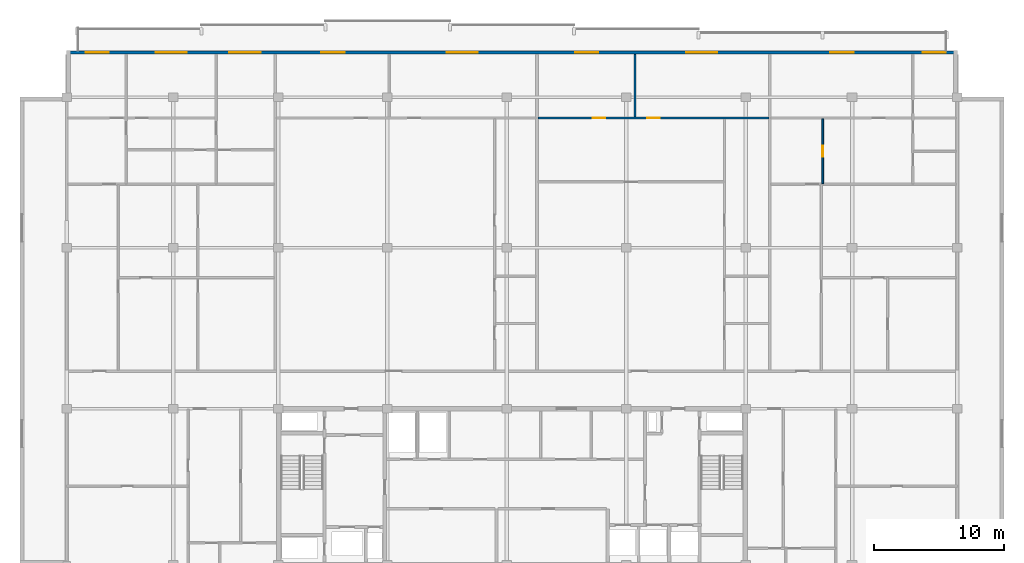
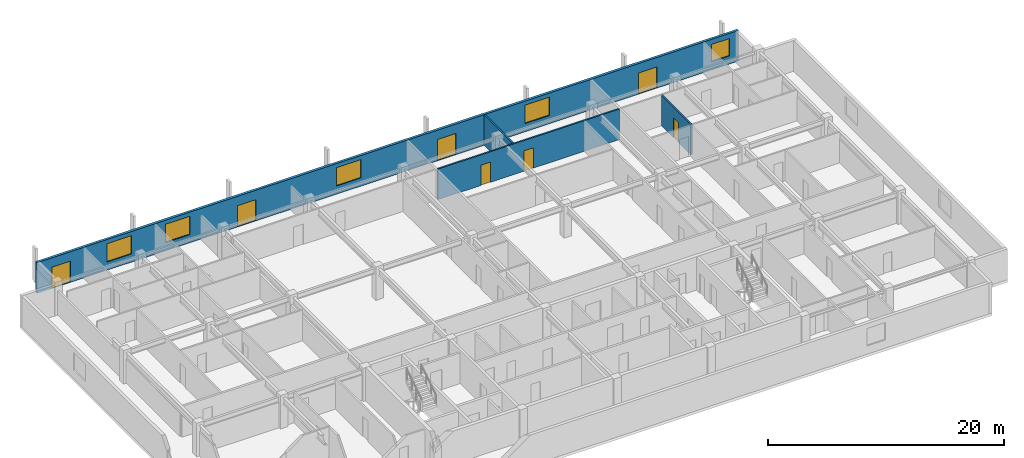
# One storey, part 7 of 10: 7 doors, 5 windows, 4 walls, 12 openings.
"""IFC4 building model written with IfcOpenShell, lengths in metres."""

from ifc_helpers import new_model, si_unit, direction, frame, frame_2d, origin, place, context, subcontext, project, spatial, rectangle, extrude, material, layer, layer_set, type_object, element, fill, save


model = new_model("IFC4")

# Units and contexts
model_context = context("Model", 3, precision=1e-05, world=origin(), true_north=direction((0.0, 1.0)))
body_context = subcontext(model_context, "Body", "Model", "MODEL_VIEW")
ifc_project = project(units=[si_unit("LENGTHUNIT", "METRE"), si_unit("AREAUNIT", "SQUARE_METRE"), si_unit("VOLUMEUNIT", "CUBIC_METRE"), si_unit("PLANEANGLEUNIT", "RADIAN"), si_unit("MASSUNIT", "GRAM", prefix="KILO")], contexts=[model_context])

# Site, building, storey
site_placement = place(None, origin())
site = spatial("IfcSite", under=ifc_project, at=site_placement, CompositionType="ELEMENT")
building_placement = place(site_placement, origin())
building = spatial("IfcBuilding", under=site, at=building_placement, Name="Korimba Cascade Residences", CompositionType="ELEMENT")
storey_placement = place(building_placement, frame((0.0, 0.0, 239.0)))
storey = spatial("IfcBuildingStorey", under=building, at=storey_placement, Name="L69", CompositionType="ELEMENT", Elevation=239.0)

# Wall, openings, doors, windows
ifc_material_1 = material(Name="Precast concrete C40/50", Category="concrete")
ifc_layer_1 = layer(ifc_material_1, 0.25)
ifc_layer_set_1 = layer_set([ifc_layer_1], Name="Precast concrete C40/50")
wall_type_1 = type_object("IfcWallType", Name="EW-LOG-250", PredefinedType="STANDARD", material=ifc_layer_set_1)
wall_1_placement = place(storey_placement, frame((128.39990234375, 94.64990234375, 0.0), z_axis=(0.0, 0.0, 1.0), x_axis=(-1.0, 0.0, 0.0)))
wall_1 = element("IfcWall", 1, at=wall_1_placement, inside=storey, type_object=wall_type_1, Name="L69 T1 Perimeter Stone Wall E06", PredefinedType="STANDARD", context=body_context, shape_type="SweptSolid", body=[
    extrude(rectangle(XDim=68.599853515625, YDim=0.25, at=frame_2d((34.2998046875, 0.0))), origin(), (0.0, 0.0, 1.0), 3.169921875),
])
opening_1_placement = place(wall_1_placement, frame((59.3525390625, 0.0, 0.85009765625)))
opening_1 = element("IfcOpeningElement", 2, at=opening_1_placement, cuts=wall_1, Name="Opening W-01", PredefinedType="OPENING", context=body_context, shape_type="SweptSolid", body=[
    extrude(rectangle(XDim=2.39990234375, YDim=1.89990234375, at=frame_2d((1.199951171875, 0.949951171875))), frame((0.0, 0.135009765625, 0.0), z_axis=(0.0, -1.0, 0.0), x_axis=(1.0, 0.0, 0.0)), (0.0, 0.0, 1.0), 0.27001953125),
])
opening_2_placement = place(wall_1_placement, frame((65.35009765625, 0.0, 0.0)))
opening_2 = element("IfcOpeningElement", 3, at=opening_2_placement, cuts=wall_1, Name="Opening D-LG1", PredefinedType="OPENING", context=body_context, shape_type="SweptSolid", body=[
    extrude(rectangle(XDim=1.800048828125, YDim=2.199951171875, at=frame_2d((0.89990234375, 1.10009765625))), frame((0.0, 0.135009765625, 0.0), z_axis=(0.0, -1.0, 0.0), x_axis=(1.0, 0.0, 0.0)), (0.0, 0.0, 1.0), 0.27001953125),
])
opening_3_placement = place(wall_1_placement, frame((53.669921875, 0.0, 0.85009765625)))
opening_3 = element("IfcOpeningElement", 4, at=opening_3_placement, cuts=wall_1, Name="Opening W-01", PredefinedType="OPENING", context=body_context, shape_type="SweptSolid", body=[
    extrude(rectangle(XDim=2.39990234375, YDim=1.89990234375, at=frame_2d((1.199951171875, 0.949951171875))), frame((0.0, 0.135009765625, 0.0), z_axis=(0.0, -1.0, 0.0), x_axis=(1.0, 0.0, 0.0)), (0.0, 0.0, 1.0), 0.27001953125),
])
opening_4_placement = place(wall_1_placement, frame((47.1875, 0.0, 0.0)))
opening_4 = element("IfcOpeningElement", 5, at=opening_4_placement, cuts=wall_1, Name="Opening D-LG1", PredefinedType="OPENING", context=body_context, shape_type="SweptSolid", body=[
    extrude(rectangle(XDim=1.800048828125, YDim=2.199951171875, at=frame_2d((0.89990234375, 1.10009765625))), frame((0.0, 0.135009765625, 0.0), z_axis=(0.0, -1.0, 0.0), x_axis=(1.0, 0.0, 0.0)), (0.0, 0.0, 1.0), 0.27001953125),
])
opening_5_placement = place(wall_1_placement, frame((36.927978515625, 0.0, 0.85009765625)))
opening_5 = element("IfcOpeningElement", 6, at=opening_5_placement, cuts=wall_1, Name="Opening W-01", PredefinedType="OPENING", context=body_context, shape_type="SweptSolid", body=[
    extrude(rectangle(XDim=2.39990234375, YDim=1.89990234375, at=frame_2d((1.199951171875, 0.949951171875))), frame((0.0, 0.135009765625, 0.0), z_axis=(0.0, -1.0, 0.0), x_axis=(1.0, 0.0, 0.0)), (0.0, 0.0, 1.0), 0.27001953125),
])
opening_6_placement = place(wall_1_placement, frame((27.6396484375, 0.0, 0.0)))
opening_6 = element("IfcOpeningElement", 7, at=opening_6_placement, cuts=wall_1, Name="Opening D-LG1", PredefinedType="OPENING", context=body_context, shape_type="SweptSolid", body=[
    extrude(rectangle(XDim=1.800048828125, YDim=2.199951171875, at=frame_2d((0.89990234375, 1.10009765625))), frame((0.0, 0.135009765625, 0.0), z_axis=(0.0, -1.0, 0.0), x_axis=(1.0, 0.0, 0.0)), (0.0, 0.0, 1.0), 0.27001953125),
])
opening_7_placement = place(wall_1_placement, frame((18.4873046875, 0.0, 0.85009765625)))
opening_7 = element("IfcOpeningElement", 8, at=opening_7_placement, cuts=wall_1, Name="Opening W-01", PredefinedType="OPENING", context=body_context, shape_type="SweptSolid", body=[
    extrude(rectangle(XDim=2.39990234375, YDim=1.89990234375, at=frame_2d((1.199951171875, 0.949951171875))), frame((0.0, 0.135009765625, 0.0), z_axis=(0.0, -1.0, 0.0), x_axis=(1.0, 0.0, 0.0)), (0.0, 0.0, 1.0), 0.27001953125),
])
opening_8_placement = place(wall_1_placement, frame((7.965576171875, 0.0, 0.0)))
opening_8 = element("IfcOpeningElement", 9, at=opening_8_placement, cuts=wall_1, Name="Opening D-LG1", PredefinedType="OPENING", context=body_context, shape_type="SweptSolid", body=[
    extrude(rectangle(XDim=1.800048828125, YDim=2.199951171875, at=frame_2d((0.89990234375, 1.10009765625))), frame((0.0, 0.135009765625, 0.0), z_axis=(0.0, -1.0, 0.0), x_axis=(1.0, 0.0, 0.0)), (0.0, 0.0, 1.0), 0.27001953125),
])
opening_9_placement = place(wall_1_placement, frame((0.8701171875, 0.0, 0.85009765625)))
opening_9 = element("IfcOpeningElement", 10, at=opening_9_placement, cuts=wall_1, Name="Opening W-02", PredefinedType="OPENING", context=body_context, shape_type="SweptSolid", body=[
    extrude(rectangle(XDim=1.800048828125, YDim=1.800048828125, at=frame_2d((0.89990234375, 0.89990234375))), frame((0.0, 0.135009765625, 0.0), z_axis=(0.0, -1.0, 0.0), x_axis=(1.0, 0.0, 0.0)), (0.0, 0.0, 1.0), 0.27001953125),
])
ifc_material_2 = material(Name="Glazed Aluminium Loggia Sliding Door", Category="aluminium")
door_type_1 = type_object("IfcDoorType", Name="DR-EXT-LOG", OperationType="NOTDEFINED", PredefinedType="DOOR", material=ifc_material_2)
door_1_placement = place(opening_2_placement, origin())
door_1 = element("IfcDoor", 11, at=door_1_placement, inside=storey, type_object=door_type_1, Name="L69 T1 Loggia Sliding Door 4", OperationType="SLIDING_TO_LEFT", OverallHeight=2.199951171875, OverallWidth=1.800048828125, PredefinedType="DOOR", context=body_context, shape_type="SweptSolid", body=[
    extrude(rectangle(XDim=1.800048828125, YDim=2.199951171875, at=frame_2d((0.89990234375, 1.10009765625))), frame((0.0, 0.02490234375, 0.0), z_axis=(0.0, -1.0, 0.0), x_axis=(1.0, 0.0, 0.0)), (0.0, 0.0, 1.0), 0.050048828125),
])
fill(opening_2, door_1)
door_2_placement = place(opening_4_placement, origin())
door_2 = element("IfcDoor", 12, at=door_2_placement, inside=storey, type_object=door_type_1, Name="L69 T1 Loggia Sliding Door 6", OperationType="SLIDING_TO_LEFT", OverallHeight=2.199951171875, OverallWidth=1.800048828125, PredefinedType="DOOR", context=body_context, shape_type="SweptSolid", body=[
    extrude(rectangle(XDim=1.800048828125, YDim=2.199951171875, at=frame_2d((0.89990234375, 1.10009765625))), frame((0.0, 0.02490234375, 0.0), z_axis=(0.0, -1.0, 0.0), x_axis=(1.0, 0.0, 0.0)), (0.0, 0.0, 1.0), 0.050048828125),
])
fill(opening_4, door_2)
door_3_placement = place(opening_6_placement, origin())
door_3 = element("IfcDoor", 13, at=door_3_placement, inside=storey, type_object=door_type_1, Name="L69 T1 Loggia Sliding Door 8", OperationType="SLIDING_TO_LEFT", OverallHeight=2.199951171875, OverallWidth=1.800048828125, PredefinedType="DOOR", context=body_context, shape_type="SweptSolid", body=[
    extrude(rectangle(XDim=1.800048828125, YDim=2.199951171875, at=frame_2d((0.89990234375, 1.10009765625))), frame((0.0, 0.02490234375, 0.0), z_axis=(0.0, -1.0, 0.0), x_axis=(1.0, 0.0, 0.0)), (0.0, 0.0, 1.0), 0.050048828125),
])
fill(opening_6, door_3)
door_4_placement = place(opening_8_placement, origin())
door_4 = element("IfcDoor", 14, at=door_4_placement, inside=storey, type_object=door_type_1, Name="L69 T1 Loggia Sliding Door 10", OperationType="SLIDING_TO_LEFT", OverallHeight=2.199951171875, OverallWidth=1.800048828125, PredefinedType="DOOR", context=body_context, shape_type="SweptSolid", body=[
    extrude(rectangle(XDim=1.800048828125, YDim=2.199951171875, at=frame_2d((0.89990234375, 1.10009765625))), frame((0.0, 0.02490234375, 0.0), z_axis=(0.0, -1.0, 0.0), x_axis=(1.0, 0.0, 0.0)), (0.0, 0.0, 1.0), 0.050048828125),
])
fill(opening_8, door_4)
ifc_material_3 = material(Name="Double-Glazed Aluminium Window", Category="aluminium")
window_type_1 = type_object("IfcWindowType", Name="WIN-BED-1800", PartitioningType="SINGLE_PANEL", PredefinedType="WINDOW", material=ifc_material_3)
window_1_placement = place(opening_9_placement, origin())
window_1 = element("IfcWindow", 15, at=window_1_placement, inside=storey, type_object=window_type_1, Name="L69 T1 North Facade Window 11", OverallHeight=1.800048828125, OverallWidth=1.800048828125, PartitioningType="SINGLE_PANEL", PredefinedType="WINDOW", context=body_context, shape_type="SweptSolid", body=[
    extrude(rectangle(XDim=1.800048828125, YDim=1.800048828125, at=frame_2d((0.89990234375, 0.89990234375))), frame((0.0, 0.030029296875, 0.0), z_axis=(0.0, -1.0, 0.0), x_axis=(1.0, 0.0, 0.0)), (0.0, 0.0, 1.0), 0.06005859375),
])
fill(opening_9, window_1)
window_type_2 = type_object("IfcWindowType", Name="WIN-RES-2400", PartitioningType="DOUBLE_PANEL_VERTICAL", PredefinedType="WINDOW", material=ifc_material_3)
window_2_placement = place(opening_1_placement, origin())
window_2 = element("IfcWindow", 16, at=window_2_placement, inside=storey, type_object=window_type_2, Name="L69 T1 North Facade Window 3", OverallHeight=1.89990234375, OverallWidth=2.39990234375, PartitioningType="DOUBLE_PANEL_VERTICAL", PredefinedType="WINDOW", context=body_context, shape_type="SweptSolid", body=[
    extrude(rectangle(XDim=2.39990234375, YDim=1.89990234375, at=frame_2d((1.199951171875, 0.949951171875))), frame((0.0, 0.030029296875, 0.0), z_axis=(0.0, -1.0, 0.0), x_axis=(1.0, 0.0, 0.0)), (0.0, 0.0, 1.0), 0.06005859375),
])
fill(opening_1, window_2)
window_3_placement = place(opening_3_placement, origin())
window_3 = element("IfcWindow", 17, at=window_3_placement, inside=storey, type_object=window_type_2, Name="L69 T1 North Facade Window 5", OverallHeight=1.89990234375, OverallWidth=2.39990234375, PartitioningType="DOUBLE_PANEL_VERTICAL", PredefinedType="WINDOW", context=body_context, shape_type="SweptSolid", body=[
    extrude(rectangle(XDim=2.39990234375, YDim=1.89990234375, at=frame_2d((1.199951171875, 0.949951171875))), frame((0.0, 0.030029296875, 0.0), z_axis=(0.0, -1.0, 0.0), x_axis=(1.0, 0.0, 0.0)), (0.0, 0.0, 1.0), 0.06005859375),
])
fill(opening_3, window_3)
window_4_placement = place(opening_5_placement, origin())
window_4 = element("IfcWindow", 18, at=window_4_placement, inside=storey, type_object=window_type_2, Name="L69 T1 North Facade Window 7", OverallHeight=1.89990234375, OverallWidth=2.39990234375, PartitioningType="DOUBLE_PANEL_VERTICAL", PredefinedType="WINDOW", context=body_context, shape_type="SweptSolid", body=[
    extrude(rectangle(XDim=2.39990234375, YDim=1.89990234375, at=frame_2d((1.199951171875, 0.949951171875))), frame((0.0, 0.030029296875, 0.0), z_axis=(0.0, -1.0, 0.0), x_axis=(1.0, 0.0, 0.0)), (0.0, 0.0, 1.0), 0.06005859375),
])
fill(opening_5, window_4)
window_5_placement = place(opening_7_placement, origin())
window_5 = element("IfcWindow", 19, at=window_5_placement, inside=storey, type_object=window_type_2, Name="L69 T1 North Facade Window 9", OverallHeight=1.89990234375, OverallWidth=2.39990234375, PartitioningType="DOUBLE_PANEL_VERTICAL", PredefinedType="WINDOW", context=body_context, shape_type="SweptSolid", body=[
    extrude(rectangle(XDim=2.39990234375, YDim=1.89990234375, at=frame_2d((1.199951171875, 0.949951171875))), frame((0.0, 0.030029296875, 0.0), z_axis=(0.0, -1.0, 0.0), x_axis=(1.0, 0.0, 0.0)), (0.0, 0.0, 1.0), 0.06005859375),
])
fill(opening_7, window_5)

# Wall
ifc_material_4 = material(Name="Insulated Acoustic Stud Partition", Category="gypsum")
ifc_layer_2 = layer(ifc_material_4, 0.14990234375)
ifc_layer_set_2 = layer_set([ifc_layer_2], Name="Insulated Acoustic Stud Partition")
wall_type_2 = type_object("IfcWallType", Name="WAL-PART-150", PredefinedType="PARTITIONING", material=ifc_layer_set_2)
wall_2_placement = place(storey_placement, frame((103.576416015625, 89.679931640625, 0.0), z_axis=(0.0, 0.0, 1.0), x_axis=(0.0, 1.0, 0.0)))
element("IfcWall", 20, at=wall_2_placement, inside=storey, type_object=wall_type_2, Name="L69 Partition Wall WAL-L69-T1-U03-OUTV", PredefinedType="PARTITIONING", context=body_context, shape_type="SweptSolid", body=[
    extrude(rectangle(XDim=4.820068359375, YDim=0.14990234375, at=frame_2d((2.41015625, 0.0))), origin(), (0.0, 0.0, 1.0), 3.169921875),
])

# Wall, openings, doors
wall_3_placement = place(storey_placement, frame((96.104248046875, 89.60009765625, 0.0), z_axis=(0.0, 0.0, 1.0), x_axis=(1.0, 0.0, 0.0)))
wall_3 = element("IfcWall", 21, at=wall_3_placement, inside=storey, type_object=wall_type_2, Name="L69 Partition Wall WAL-L69-T1-U03-HZ", PredefinedType="PARTITIONING", context=body_context, shape_type="SweptSolid", body=[
    extrude(rectangle(XDim=17.78466796875, YDim=0.14990234375, at=frame_2d((8.892333984375, 0.0))), origin(), (0.0, 0.0, 1.0), 3.169921875),
])
opening_10_placement = place(wall_3_placement, frame((4.231201171875, 0.0, 0.0)))
opening_10 = element("IfcOpeningElement", 22, at=opening_10_placement, cuts=wall_3, Name="Opening D-IN0", PredefinedType="OPENING", context=body_context, shape_type="SweptSolid", body=[
    extrude(rectangle(XDim=0.93994140625, YDim=2.10009765625, at=frame_2d((0.469970703125, 1.050048828125))), frame((0.0, 0.0849609375, 0.0), z_axis=(0.0, -1.0, 0.0), x_axis=(1.0, 0.0, 0.0)), (0.0, 0.0, 1.0), 0.169921875),
])
opening_11_placement = place(wall_3_placement, frame((8.42236328125, 0.0, 0.0)))
opening_11 = element("IfcOpeningElement", 23, at=opening_11_placement, cuts=wall_3, Name="Opening D-IN0", PredefinedType="OPENING", context=body_context, shape_type="SweptSolid", body=[
    extrude(rectangle(XDim=0.93994140625, YDim=2.10009765625, at=frame_2d((0.469970703125, 1.050048828125))), frame((0.0, 0.0849609375, 0.0), z_axis=(0.0, -1.0, 0.0), x_axis=(1.0, 0.0, 0.0)), (0.0, 0.0, 1.0), 0.169921875),
])
ifc_material_5 = material(Name="Acoustic Timber Living Archway Door", Category="wood")
door_type_2 = type_object("IfcDoorType", Name="DR-INT-950", OperationType="NOTDEFINED", PredefinedType="DOOR", material=ifc_material_5)
door_5_placement = place(opening_10_placement, origin())
door_5 = element("IfcDoor", 24, at=door_5_placement, inside=storey, type_object=door_type_2, Name="L69-T1-U03 Hydrotherapy Wellness Clinic Door", OperationType="SINGLE_SWING_RIGHT", OverallHeight=2.10009765625, OverallWidth=0.93994140625, PredefinedType="DOOR", context=body_context, shape_type="SweptSolid", body=[
    extrude(rectangle(XDim=0.93994140625, YDim=2.10009765625, at=frame_2d((0.469970703125, 1.050048828125))), frame((0.0, 0.02490234375, 0.0), z_axis=(0.0, -1.0, 0.0), x_axis=(1.0, 0.0, 0.0)), (0.0, 0.0, 1.0), 0.050048828125),
])
fill(opening_10, door_5)
door_6_placement = place(opening_11_placement, origin())
door_6 = element("IfcDoor", 25, at=door_6_placement, inside=storey, type_object=door_type_2, Name="L69-T1-U03 Physiotherapy Treatment Room Door", OperationType="SINGLE_SWING_LEFT", OverallHeight=2.10009765625, OverallWidth=0.93994140625, PredefinedType="DOOR", context=body_context, shape_type="SweptSolid", body=[
    extrude(rectangle(XDim=0.93994140625, YDim=2.10009765625, at=frame_2d((0.469970703125, 1.050048828125))), frame((0.0, 0.02490234375, 0.0), z_axis=(0.0, -1.0, 0.0), x_axis=(1.0, 0.0, 0.0)), (0.0, 0.0, 1.0), 0.050048828125),
])
fill(opening_11, door_6)

# Wall, opening, door
wall_4_placement = place(storey_placement, frame((118.038818359375, 84.5400390625, 0.0), z_axis=(0.0, 0.0, 1.0), x_axis=(0.0, 1.0, 0.0)))
wall_4 = element("IfcWall", 26, at=wall_4_placement, inside=storey, type_object=wall_type_2, Name="L69 Partition Wall WAL-L69-T1-U04-VDIN", PredefinedType="PARTITIONING", context=body_context, shape_type="SweptSolid", body=[
    extrude(rectangle(XDim=5.0, YDim=0.14990234375, at=frame_2d((2.5, 0.0))), origin(), (0.0, 0.0, 1.0), 3.169921875),
])
opening_12_placement = place(wall_4_placement, frame((2.06005859375, 0.0, 0.0)))
opening_12 = element("IfcOpeningElement", 27, at=opening_12_placement, cuts=wall_4, Name="Opening D-IN2", PredefinedType="OPENING", context=body_context, shape_type="SweptSolid", body=[
    extrude(rectangle(XDim=0.8798828125, YDim=2.06005859375, at=frame_2d((0.43994140625, 1.030029296875))), frame((0.0, 0.0849609375, 0.0), z_axis=(0.0, -1.0, 0.0), x_axis=(1.0, 0.0, 0.0)), (0.0, 0.0, 1.0), 0.169921875),
])
ifc_material_6 = material(Name="Acoustic Timber Bedroom Door", Category="wood")
door_type_3 = type_object("IfcDoorType", Name="DR-INT-880", OperationType="NOTDEFINED", PredefinedType="DOOR", material=ifc_material_6)
door_7_placement = place(opening_12_placement, origin())
door_7 = element("IfcDoor", 28, at=door_7_placement, inside=storey, type_object=door_type_3, Name="L69-T1-U04 Dining Room Door", OperationType="SINGLE_SWING_LEFT", OverallHeight=2.06005859375, OverallWidth=0.8798828125, PredefinedType="DOOR", context=body_context, shape_type="SweptSolid", body=[
    extrude(rectangle(XDim=0.8798828125, YDim=2.06005859375, at=frame_2d((0.43994140625, 1.030029296875))), frame((0.0, 0.02490234375, 0.0), z_axis=(0.0, -1.0, 0.0), x_axis=(1.0, 0.0, 0.0)), (0.0, 0.0, 1.0), 0.050048828125),
])
fill(opening_12, door_7)

save(model, "model.ifc")
